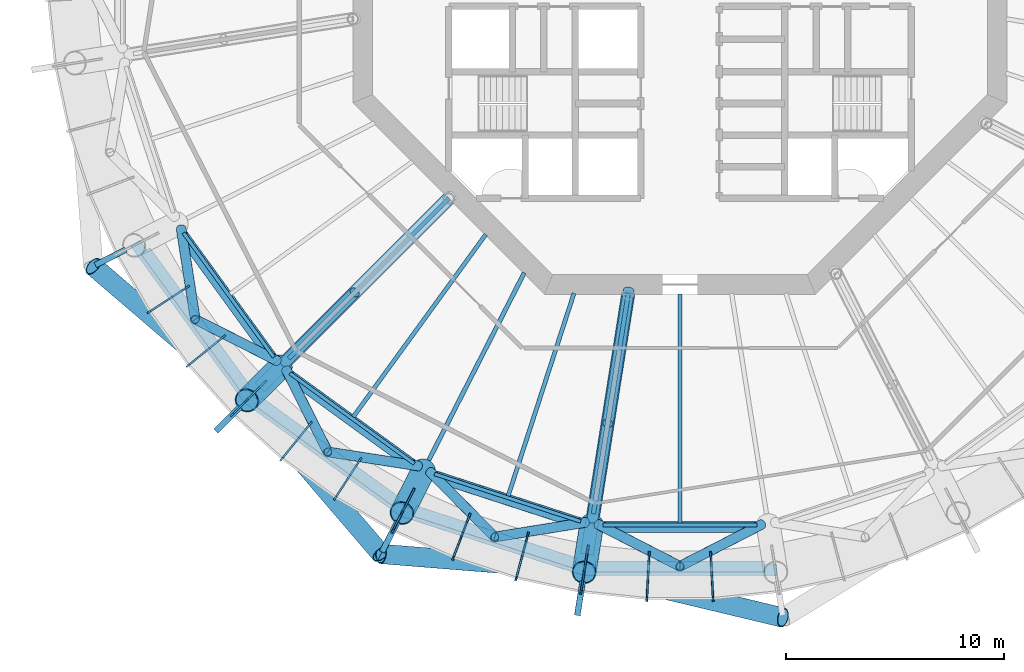
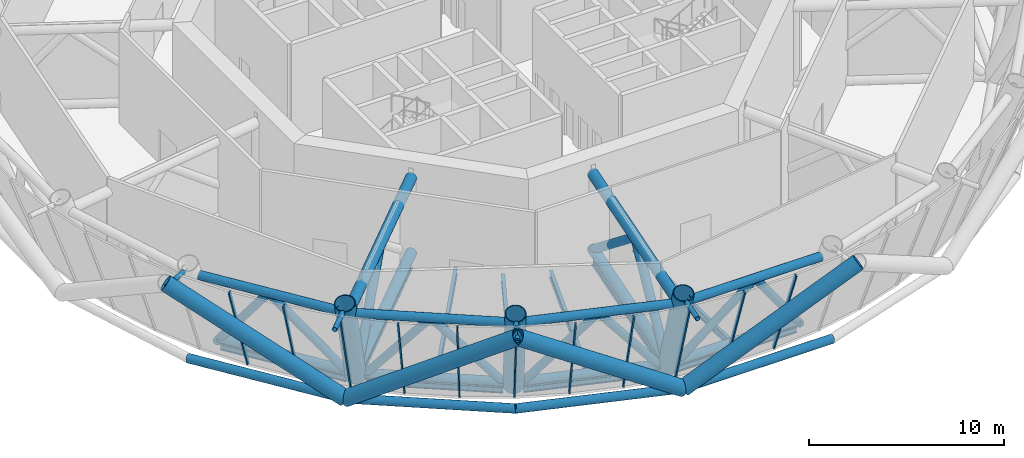
# One storey, part 1 of 15: 49 members, 10 beams, 4 elements without a shape of their own.
"""IFC4 building model written with IfcOpenShell, lengths in metres."""

from ifc_helpers import new_model, si_unit, direction, frame, origin, origin_2d, place, context, subcontext, project, spatial, rectangle, circle, hollow_circle, i_section, extrude, material, layer, layer_set, material_profile, profile_set, type_object, element, aggregate, save


model = new_model("IFC4")

# Units and contexts
model_context = context("Model", 3, precision=1e-05, world=origin(), true_north=direction((0.0, 1.0)))
body_context = subcontext(model_context, "Body", "Model", "MODEL_VIEW")
ifc_project = project(units=[si_unit("LENGTHUNIT", "METRE"), si_unit("AREAUNIT", "SQUARE_METRE"), si_unit("VOLUMEUNIT", "CUBIC_METRE"), si_unit("PLANEANGLEUNIT", "RADIAN"), si_unit("MASSUNIT", "GRAM", prefix="KILO")], contexts=[model_context])

# Site, building, storey
site_placement = place(None, origin())
site = spatial("IfcSite", under=ifc_project, at=site_placement, CompositionType="ELEMENT")
building_placement = place(site_placement, origin())
building = spatial("IfcBuilding", under=site, at=building_placement, Name="Entoto Ring Tower", CompositionType="ELEMENT")
storey_placement = place(building_placement, frame((0.0, 0.0, 268.0)))
storey = spatial("IfcBuildingStorey", under=building, at=storey_placement, Name="L61", CompositionType="ELEMENT", Elevation=268.0)

# Members
ifc_material_1 = material(Name="Steel S355", Category="steel")
ifc_material_profile_1 = material_profile(ifc_material_1, hollow_circle(Radius=0.449951171875, WallThickness=0.044921875, at=origin_2d()), Name="CHS 900 x 45")
ifc_material_2 = material(Name="Concrete C60/75", Category="concrete")
ifc_material_profile_2 = material_profile(ifc_material_2, circle(Radius=0.405029296875, at=origin_2d()), Name="Concrete C60/75 infill")
ifc_profile_set_1 = profile_set([ifc_material_profile_1, ifc_material_profile_2], Name="Steel S355")
member_type_1 = type_object("IfcMemberType", Name="Diagrid diagonal 900 x 45 concrete-filled tube", PredefinedType="BRACE", material=ifc_profile_set_1)
for number, where, z_axis, x_axis, name in (
    (1, (70.200927734375, 60.200927734375, 0.0), (-0.639435344437, 0.547626306831, 0.539655323657), (-0.650475563514, -0.759527182707, 0.0), "DG2 module 21 13"),
    (2, (70.200927734375, 60.200927734375, 0.0), (0.547626306831, -0.639435344437, 0.539655323657), (0.759527182707, 0.650475563514, 0.0), "DG2 module 21 14"),
    (3, (85.619873046875, 52.3447265625, 0.0), (-0.839199397204, 0.067171964206, 0.539659428675), (-0.079787726213, -0.99681187731, 0.0), "DG2 module 21 15"),
    (4, (85.619873046875, 52.3447265625, 0.0), (0.818886187126, -0.195432990063, 0.539658557728), (0.232137674521, 0.972682939127, 0.0), "DG2 module 21 16"),
):
    element("IfcMember", number, at=place(storey_placement, frame(where, z_axis=z_axis, x_axis=x_axis)), inside=storey, type_object=member_type_1, Name=name, PredefinedType="BRACE", context=body_context, shape_type="SweptSolid", body=[
        extrude(hollow_circle(Radius=0.449951171875, WallThickness=0.044921875, at=origin_2d()), origin(), (0.0, 0.0, 1.0), 11.1181640625),
    ])
ifc_material_3 = material(Name="Steel S355", Category="steel")
ifc_material_profile_3 = material_profile(ifc_material_3, hollow_circle(Radius=0.136474609375, WallThickness=0.012451171875, at=origin_2d()), Name="CHS 273 x 12.5")
ifc_material_4 = material(Name="Concrete C60/75", Category="concrete")
ifc_material_profile_4 = material_profile(ifc_material_4, circle(Radius=0.1240234375, at=origin_2d()), Name="Concrete C60/75 infill")
ifc_profile_set_2 = profile_set([ifc_material_profile_3, ifc_material_profile_4], Name="Steel S355")
member_type_2 = type_object("IfcMemberType", Name="Diagrid node strut 273 x 12.5", PredefinedType="STRUT", material=ifc_profile_set_2)
member_1_placement = place(storey_placement, frame((64.583984375, 67.050048828125, 5.71337890625), z_axis=(-0.890990991259, -0.454020983541, 0.0), x_axis=(0.454020983541, -0.890990991259, 0.0)))
element("IfcMember", 5, at=member_1_placement, inside=storey, type_object=member_type_2, Name="DS2 strut ring 21 11", PredefinedType="STRUT", context=body_context, shape_type="SweptSolid", body=[
    extrude(hollow_circle(Radius=0.136474609375, WallThickness=0.012451171875, at=origin_2d()), origin(), (0.0, 0.0, 1.0), 1.574951171875),
])
member_2_placement = place(storey_placement, frame((69.829833984375, 59.829833984375, 5.71337890625), z_axis=(-0.707106781187, -0.707106781187, 0.0), x_axis=(0.707106781187, -0.707106781187, 0.0)))
element("IfcMember", 6, at=member_2_placement, inside=storey, type_object=member_type_2, Name="DS2 strut ring 21 12", PredefinedType="STRUT", context=body_context, shape_type="SweptSolid", body=[
    extrude(hollow_circle(Radius=0.136474609375, WallThickness=0.012451171875, at=origin_2d()), origin(), (0.0, 0.0, 1.0), 1.5751953125),
])
for number, where, z_axis, x_axis, name in (
    (7, (77.050048828125, 54.583984375, 5.71337890625), (-0.454020983541, -0.890990991259, 0.0), (0.890990991259, -0.454020983541, 0.0), "DS2 strut ring 21 13"),
    (8, (85.53759765625, 51.826171875, 5.71337890625), (-0.156400343382, -0.987693744331, 0.0), (0.987693744331, -0.156400343382, 0.0), "DS2 strut ring 21 14"),
):
    element("IfcMember", number, at=place(storey_placement, frame(where, z_axis=z_axis, x_axis=x_axis)), inside=storey, type_object=member_type_2, Name=name, PredefinedType="STRUT", context=body_context, shape_type="SweptSolid", body=[
        extrude(hollow_circle(Radius=0.136474609375, WallThickness=0.012451171875, at=origin_2d()), origin(), (0.0, 0.0, 1.0), 1.574951171875),
    ])
ifc_material_5 = material(Name="Steel S355", Category="steel")
ifc_material_profile_5 = material_profile(ifc_material_5, hollow_circle(Radius=0.25390625, WallThickness=0.030029296875, at=origin_2d()), Name="CHS 508 x 30")
ifc_material_6 = material(Name="Concrete C60/75", Category="concrete")
ifc_material_profile_6 = material_profile(ifc_material_6, circle(Radius=0.22412109375, at=origin_2d()), Name="Concrete C60/75 infill")
ifc_profile_set_3 = profile_set([ifc_material_profile_5, ifc_material_profile_6], Name="Steel S355")
member_type_3 = type_object("IfcMemberType", Name="Diagrid ring beam 508 x 30", PredefinedType="CHORD", material=ifc_profile_set_3)
for number, where, z_axis, x_axis, name in (
    (9, (65.016357421875, 67.3369140625, 0.0), (0.587790766961, -0.809012987705, 0.0), (0.809012987705, 0.587790766961, 0.0), "DR2 ring 20 12"),
    (10, (70.15234375, 60.236328125, 0.0), (0.809012987705, -0.587790766961, 0.0), (0.587790766961, 0.809012987705, 0.0), "DR2 ring 20 13"),
    (11, (77.23095703125, 55.0703125, 0.0), (0.951061338755, -0.309002151976, 0.0), (0.309002151976, 0.951061338755, 0.0), "DR2 ring 20 14"),
):
    element("IfcMember", number, at=place(storey_placement, frame(where, z_axis=z_axis, x_axis=x_axis)), inside=storey, type_object=member_type_3, Name=name, PredefinedType="CHORD", context=body_context, shape_type="SweptSolid", body=[
        extrude(hollow_circle(Radius=0.25390625, WallThickness=0.030029296875, at=origin_2d()), origin(), (0.0, 0.0, 1.0), 8.880615234375),
    ])
member_3_placement = place(storey_placement, frame((85.5595703125, 52.3447265625, 0.0), z_axis=(1.0, 0.0, 0.0), x_axis=(0.0, 1.0, 0.0)))
element("IfcMember", 12, at=member_3_placement, inside=storey, type_object=member_type_3, Name="DR2 ring 20 15", PredefinedType="CHORD", context=body_context, shape_type="SweptSolid", body=[
    extrude(hollow_circle(Radius=0.25390625, WallThickness=0.030029296875, at=origin_2d()), origin(), (0.0, 0.0, 1.0), 8.880859375),
])

# Beams
ifc_material_7 = material(Name="Steel S355", Category="steel")
ifc_material_profile_7 = material_profile(ifc_material_7, i_section(OverallWidth=0.169921875, OverallDepth=0.360107421875, WebThickness=0.008056640625, FlangeThickness=0.0126953125, FilletRadius=0.01806640625, at=origin_2d()), Name="IPE 360")
ifc_profile_set_4 = profile_set([ifc_material_profile_7], Name="Steel S355")
beam_type_1 = type_object("IfcBeamType", Name="Edge beam IPE 360", PredefinedType="SPANDREL", material=ifc_profile_set_4)
for number, where, z_axis, x_axis, name in (
    (13, (67.23046875, 67.818359375, -0.330078125), (0.587797242693, -0.809008282703, 0.0), (0.809008282703, 0.587797242693, 0.0), "Edge beam L61 12"),
    (14, (72.109375, 61.37841796875, -0.330078125), (0.809008282703, -0.587797242693, 0.0), (0.587797242693, 0.809008282703, 0.0), "Edge beam L61 13"),
    (15, (78.7392578125, 56.76123046875, -0.330078125), (0.951056947905, -0.309015666013, 0.0), (0.309015666013, 0.951056947905, 0.0), "Edge beam L61 14"),
):
    element("IfcBeam", number, at=place(storey_placement, frame(where, z_axis=z_axis, x_axis=x_axis)), inside=storey, type_object=beam_type_1, Name=name, PredefinedType="SPANDREL", context=body_context, shape_type="SweptSolid", body=[
        extrude(i_section(OverallWidth=0.169921875, OverallDepth=0.360107421875, WebThickness=0.008056640625, FlangeThickness=0.0126953125, FilletRadius=0.01806640625, at=origin_2d()), origin(), (0.0, 0.0, 1.0), 7.056884765625),
    ])
beam_1_placement = place(storey_placement, frame((86.4716796875, 54.4189453125, -0.330078125), z_axis=(1.0, 0.0, 0.0), x_axis=(0.0, 1.0, 0.0)))
element("IfcBeam", 16, at=beam_1_placement, inside=storey, type_object=beam_type_1, Name="Edge beam L61 15", PredefinedType="SPANDREL", context=body_context, shape_type="SweptSolid", body=[
    extrude(i_section(OverallWidth=0.169921875, OverallDepth=0.360107421875, WebThickness=0.008056640625, FlangeThickness=0.0126953125, FilletRadius=0.01806640625, at=origin_2d()), origin(), (0.0, 0.0, 1.0), 7.056640625),
])

# Curtain wall, members
ifc_material_8 = material(Name="Anodised aluminium", Category="aluminium")
ifc_layer = layer(ifc_material_8, 0.10009765625)
ifc_layer_set = layer_set([ifc_layer], Name="Anodised aluminium")
curtain_wall_type = type_object("IfcCurtainWallType", Name="Louvre curtain wall system CW7", PredefinedType="NOTDEFINED", material=ifc_layer_set)
curtain_wall_1_placement = place(storey_placement, origin())
curtain_wall_1 = element("IfcCurtainWall", 17, at=curtain_wall_1_placement, inside=storey, type_object=curtain_wall_type, Name="CW7 L61-12", PredefinedType="NOTDEFINED")
ifc_material_9 = material(Name="Anodised aluminium", Category="aluminium")
ifc_material_profile_8 = material_profile(ifc_material_9, rectangle(XDim=0.080078125, YDim=0.199951171875, at=origin_2d()), Name="Mullion 80 x 200 mm anodised aluminium")
ifc_profile_set_5 = profile_set([ifc_material_profile_8], Name="Anodised aluminium")
member_type_4 = type_object("IfcMemberType", Name="Mullion 80 x 200 mm anodised aluminium", PredefinedType="MULLION", material=ifc_profile_set_5)
member_4_placement = place(storey_placement, frame((67.423828125, 65.3388671875, 0.034423828125), z_axis=(-0.288719812628, -0.187497389991, 0.938874644744), x_axis=(0.544640161527, -0.838669836379, 0.0)))
member_4 = element("IfcMember", 18, at=member_4_placement, type_object=member_type_4, Name="MULLION L61-34", PredefinedType="MULLION", context=body_context, shape_type="SweptSolid", body=[
    extrude(rectangle(XDim=0.080078125, YDim=0.199951171875, at=origin_2d()), origin(), (0.0, 0.0, 1.0), 6.15771484375),
])
member_5_placement = place(storey_placement, frame((69.079833984375, 63.059326171875, 0.034423828125), z_axis=(-0.267510778801, -0.216641306561, 0.938884725361), x_axis=(0.629347320868, -0.777124153348, 0.0)))
member_5 = element("IfcMember", 19, at=member_5_placement, type_object=member_type_4, Name="MULLION L61-35", PredefinedType="MULLION", context=body_context, shape_type="SweptSolid", body=[
    extrude(rectangle(XDim=0.080078125, YDim=0.199951171875, at=origin_2d()), origin(), (0.0, 0.0, 1.0), 6.157470703125),
])
aggregate(curtain_wall_1, [member_4, member_5])

curtain_wall_2_placement = place(storey_placement, origin())
curtain_wall_2 = element("IfcCurtainWall", 20, at=curtain_wall_2_placement, inside=storey, type_object=curtain_wall_type, Name="CW7 L61-13", PredefinedType="NOTDEFINED")
member_6_placement = place(storey_placement, frame((70.96533203125, 60.96533203125, 0.034423828125), z_axis=(-0.243439738428, -0.243439738428, 0.938868567749), x_axis=(0.707106781187, -0.707106781187, 0.0)))
member_6 = element("IfcMember", 21, at=member_6_placement, type_object=member_type_4, Name="MULLION L61-36", PredefinedType="MULLION", context=body_context, shape_type="SweptSolid", body=[
    extrude(rectangle(XDim=0.080078125, YDim=0.199951171875, at=origin_2d()), origin(), (0.0, 0.0, 1.0), 6.15771484375),
])
member_7_placement = place(storey_placement, frame((73.059326171875, 59.079833984375, 0.034423828125), z_axis=(-0.216641306561, -0.267510778801, 0.938884725361), x_axis=(0.777124153348, -0.629347320868, 0.0)))
member_7 = element("IfcMember", 22, at=member_7_placement, type_object=member_type_4, Name="MULLION L61-37", PredefinedType="MULLION", context=body_context, shape_type="SweptSolid", body=[
    extrude(rectangle(XDim=0.080078125, YDim=0.199951171875, at=origin_2d()), origin(), (0.0, 0.0, 1.0), 6.157470703125),
])
member_8_placement = place(storey_placement, frame((75.3388671875, 57.423828125, 0.034423828125), z_axis=(-0.187497389991, -0.288719812628, 0.938874644744), x_axis=(0.838669836379, -0.544640161527, 0.0)))
member_8 = element("IfcMember", 23, at=member_8_placement, type_object=member_type_4, Name="MULLION L61-38", PredefinedType="MULLION", context=body_context, shape_type="SweptSolid", body=[
    extrude(rectangle(XDim=0.080078125, YDim=0.199951171875, at=origin_2d()), origin(), (0.0, 0.0, 1.0), 6.15771484375),
])
aggregate(curtain_wall_2, [member_6, member_7, member_8])

curtain_wall_3_placement = place(storey_placement, origin())
curtain_wall_3 = element("IfcCurtainWall", 24, at=curtain_wall_3_placement, inside=storey, type_object=curtain_wall_type, Name="CW7 L61-14", PredefinedType="NOTDEFINED")
member_9_placement = place(storey_placement, frame((77.779052734375, 56.014892578125, 0.034423828125), z_axis=(-0.156294806902, -0.306721620039, 0.938879002394), x_axis=(0.890992028784, -0.454018947449, 0.0)))
member_9 = element("IfcMember", 25, at=member_9_placement, type_object=member_type_4, Name="MULLION L61-39", PredefinedType="MULLION", context=body_context, shape_type="SweptSolid", body=[
    extrude(rectangle(XDim=0.080078125, YDim=0.199951171875, at=origin_2d()), origin(), (0.0, 0.0, 1.0), 6.15771484375),
])
member_10_placement = place(storey_placement, frame((80.35302734375, 54.868896484375, 0.034423828125), z_axis=(-0.123346766699, -0.321391478901, 0.938878635626), x_axis=(0.933603616536, -0.358307531587, 0.0)))
member_10 = element("IfcMember", 26, at=member_10_placement, type_object=member_type_4, Name="MULLION L61-40", PredefinedType="MULLION", context=body_context, shape_type="SweptSolid", body=[
    extrude(rectangle(XDim=0.080078125, YDim=0.199951171875, at=origin_2d()), origin(), (0.0, 0.0, 1.0), 6.15771484375),
])
member_11_placement = place(storey_placement, frame((83.03271484375, 53.998046875, 0.034423828125), z_axis=(-0.089091192994, -0.332496103447, 0.938887160698), x_axis=(0.965926457713, -0.258816688586, 0.0)))
member_11 = element("IfcMember", 27, at=member_11_placement, type_object=member_type_4, Name="MULLION L61-41", PredefinedType="MULLION", context=body_context, shape_type="SweptSolid", body=[
    extrude(rectangle(XDim=0.080078125, YDim=0.199951171875, at=origin_2d()), origin(), (0.0, 0.0, 1.0), 6.157470703125),
])
aggregate(curtain_wall_3, [member_9, member_10, member_11])

curtain_wall_4_placement = place(storey_placement, origin())
curtain_wall_4 = element("IfcCurtainWall", 28, at=curtain_wall_4_placement, inside=storey, type_object=curtain_wall_type, Name="CW7 L61-15", PredefinedType="NOTDEFINED")
member_12_placement = place(storey_placement, frame((85.788818359375, 53.412353515625, 0.034423828125), z_axis=(-0.05384251649, -0.340024610762, 0.938873925239), x_axis=(0.987693766667, -0.156400202324, 0.0)))
member_12 = element("IfcMember", 29, at=member_12_placement, type_object=member_type_4, Name="MULLION L61-42", PredefinedType="MULLION", context=body_context, shape_type="SweptSolid", body=[
    extrude(rectangle(XDim=0.080078125, YDim=0.199951171875, at=origin_2d()), origin(), (0.0, 0.0, 1.0), 6.15771484375),
])
member_13_placement = place(storey_placement, frame((88.591064453125, 53.11767578125, 0.034423828125), z_axis=(-0.018000609469, -0.343756132372, 0.938886414597), x_axis=(0.998631793981, -0.052292829812, 0.0)))
member_13 = element("IfcMember", 30, at=member_13_placement, type_object=member_type_4, Name="MULLION L61-43", PredefinedType="MULLION", context=body_context, shape_type="SweptSolid", body=[
    extrude(rectangle(XDim=0.080078125, YDim=0.199951171875, at=origin_2d()), origin(), (0.0, 0.0, 1.0), 6.157470703125),
])
member_14_placement = place(storey_placement, frame((91.408935546875, 53.11767578125, 0.034423828125), z_axis=(0.018000609469, -0.343756132372, 0.938886414597), x_axis=(0.998631793981, 0.052292829812, 0.0)))
member_14 = element("IfcMember", 31, at=member_14_placement, type_object=member_type_4, Name="MULLION L61-44", PredefinedType="MULLION", context=body_context, shape_type="SweptSolid", body=[
    extrude(rectangle(XDim=0.080078125, YDim=0.199951171875, at=origin_2d()), origin(), (0.0, 0.0, 1.0), 6.157470703125),
])
aggregate(curtain_wall_4, [member_12, member_13, member_14])

# Members
ifc_material_10 = material(Name="Steel S355", Category="steel")
ifc_material_profile_9 = material_profile(ifc_material_10, hollow_circle(Radius=0.304931640625, WallThickness=0.030029296875, at=origin_2d()), Name="CHS 610 x 30")
ifc_material_11 = material(Name="Concrete C60/75", Category="concrete")
ifc_material_profile_10 = material_profile(ifc_material_11, circle(Radius=0.27490234375, at=origin_2d()), Name="Concrete C60/75 infill")
ifc_profile_set_6 = profile_set([ifc_material_profile_9, ifc_material_profile_10], Name="Steel S355")
member_type_5 = type_object("IfcMemberType", Name="Outrigger chord 610 x 30", PredefinedType="CHORD", material=ifc_profile_set_6)
member_15_placement = place(storey_placement, frame((79.407470703125, 69.407470703125, 0.304931640625), z_axis=(-0.707106781187, -0.707106781187, 0.0), x_axis=(0.707106781187, -0.707106781187, 0.0)))
element("IfcMember", 32, at=member_15_placement, inside=storey, type_object=member_type_5, Name="OR1B L61 bottom 07", PredefinedType="CHORD", context=body_context, shape_type="SweptSolid", body=[
    extrude(hollow_circle(Radius=0.304931640625, WallThickness=0.030029296875, at=origin_2d()), origin(), (0.0, 0.0, 1.0), 10.564208984375),
])
member_16_placement = place(storey_placement, frame((79.407470703125, 69.407470703125, 4.9951171875), z_axis=(-0.707106781187, -0.707106781187, 0.0), x_axis=(0.707106781187, -0.707106781187, 0.0)))
element("IfcMember", 33, at=member_16_placement, inside=storey, type_object=member_type_5, Name="OR1B L61 top 07", PredefinedType="CHORD", context=body_context, shape_type="SweptSolid", body=[
    extrude(hollow_circle(Radius=0.304931640625, WallThickness=0.030029296875, at=origin_2d()), origin(), (0.0, 0.0, 1.0), 12.283935546875),
])
member_17_placement = place(storey_placement, frame((87.635009765625, 65.0673828125, 0.304931640625), z_axis=(-0.156449566663, -0.987685948615, 0.0), x_axis=(0.987685948615, -0.156449566663, 0.0)))
element("IfcMember", 34, at=member_17_placement, inside=storey, type_object=member_type_5, Name="OR1B L61 bottom 08", PredefinedType="CHORD", context=body_context, shape_type="SweptSolid", body=[
    extrude(hollow_circle(Radius=0.304931640625, WallThickness=0.030029296875, at=origin_2d()), origin(), (0.0, 0.0, 1.0), 10.42578125),
])
member_18_placement = place(storey_placement, frame((87.635009765625, 65.0673828125, 4.9951171875), z_axis=(-0.156449770763, -0.987685916285, 0.0), x_axis=(0.987685916285, -0.156449770763, 0.0)))
element("IfcMember", 35, at=member_18_placement, inside=storey, type_object=member_type_5, Name="OR1B L61 top 08", PredefinedType="CHORD", context=body_context, shape_type="SweptSolid", body=[
    extrude(hollow_circle(Radius=0.304931640625, WallThickness=0.030029296875, at=origin_2d()), origin(), (0.0, 0.0, 1.0), 12.1455078125),
])
ifc_material_12 = material(Name="Steel S355", Category="steel")
ifc_material_profile_11 = material_profile(ifc_material_12, hollow_circle(Radius=0.25390625, WallThickness=0.030029296875, at=origin_2d()), Name="CHS 508 x 30")
ifc_material_13 = material(Name="Concrete C60/75", Category="concrete")
ifc_material_profile_12 = material_profile(ifc_material_13, circle(Radius=0.22412109375, at=origin_2d()), Name="Concrete C60/75 infill")
ifc_profile_set_7 = profile_set([ifc_material_profile_11, ifc_material_profile_12], Name="Steel S355")
member_type_6 = type_object("IfcMemberType", Name="Outrigger diagonal 508 x 30", PredefinedType="BRACE", material=ifc_profile_set_7)
member_19_placement = place(storey_placement, frame((75.086669921875, 65.086669921875, 4.9951171875), z_axis=(-0.482096478107, -0.482096478107, -0.731550388965), x_axis=(0.707106781187, -0.707106781187, 0.0)))
element("IfcMember", 36, at=member_19_placement, inside=storey, type_object=member_type_6, Name="OR2B L61 07 2", PredefinedType="BRACE", context=body_context, shape_type="SweptSolid", body=[
    extrude(hollow_circle(Radius=0.25390625, WallThickness=0.030029296875, at=origin_2d()), origin(), (0.0, 0.0, 1.0), 6.6513671875),
])
member_20_placement = place(storey_placement, frame((87.65185546875, 65.175048828125, 0.166259765625), z_axis=(-0.123216008538, -0.778011293546, 0.616048896075), x_axis=(0.987690081313, -0.156423474185, 0.0)))
element("IfcMember", 37, at=member_20_placement, inside=storey, type_object=member_type_6, Name="OR2B L61 08 1", PredefinedType="BRACE", context=body_context, shape_type="SweptSolid", body=[
    extrude(hollow_circle(Radius=0.25390625, WallThickness=0.030029296875, at=origin_2d()), origin(), (0.0, 0.0, 1.0), 7.83837890625),
])
member_21_placement = place(storey_placement, frame((86.68603515625, 59.07666015625, 4.9951171875), z_axis=(-0.1054207135, -0.665590911543, -0.738833683339), x_axis=(0.987688003669, -0.156436592292, 0.0)))
element("IfcMember", 38, at=member_21_placement, inside=storey, type_object=member_type_6, Name="OR2B L61 08 2", PredefinedType="BRACE", context=body_context, shape_type="SweptSolid", body=[
    extrude(hollow_circle(Radius=0.25390625, WallThickness=0.030029296875, at=origin_2d()), origin(), (0.0, 0.0, 1.0), 6.59326171875),
])

# Beams
ifc_material_14 = material(Name="Steel S355", Category="steel")
ifc_material_profile_13 = material_profile(ifc_material_14, i_section(OverallWidth=0.199951171875, OverallDepth=0.5, WebThickness=0.01025390625, FlangeThickness=0.01611328125, FilletRadius=0.02099609375, at=origin_2d()), Name="IPE 500")
ifc_profile_set_8 = profile_set([ifc_material_profile_13], Name="Steel S355")
beam_type_2 = type_object("IfcBeamType", Name="Primary floor beam IPE 500", PredefinedType="BEAM", material=ifc_profile_set_8)
beam_2_placement = place(storey_placement, frame((79.407470703125, 69.407470703125, -0.39990234375), z_axis=(-0.707106781187, -0.707106781187, 0.0), x_axis=(0.707106781187, -0.707106781187, 0.0)))
element("IfcBeam", 39, at=beam_2_placement, inside=storey, type_object=beam_type_2, Name="Primary L61 R13", PredefinedType="BEAM", context=body_context, shape_type="SweptSolid", body=[
    extrude(i_section(OverallWidth=0.199951171875, OverallDepth=0.5, WebThickness=0.01025390625, FlangeThickness=0.01611328125, FilletRadius=0.02099609375, at=origin_2d()), origin(), (0.0, 0.0, 1.0), 10.399169921875),
])
beam_3_placement = place(storey_placement, frame((82.863525390625, 65.993896484375, -0.39990234375), z_axis=(-0.453994308092, -0.891004583726, 0.0), x_axis=(0.891004583726, -0.453994308092, 0.0)))
element("IfcBeam", 40, at=beam_3_placement, inside=storey, type_object=beam_type_2, Name="Primary L61 R14", PredefinedType="BEAM", context=body_context, shape_type="SweptSolid", body=[
    extrude(i_section(OverallWidth=0.199951171875, OverallDepth=0.5, WebThickness=0.01025390625, FlangeThickness=0.01611328125, FilletRadius=0.02099609375, at=origin_2d()), origin(), (0.0, 0.0, 1.0), 9.659912109375),
])
beam_4_placement = place(storey_placement, frame((87.6298828125, 65.035400390625, -0.39990234375), z_axis=(-0.156439360602, -0.987687565202, 0.0), x_axis=(0.987687565202, -0.156439360602, 0.0)))
element("IfcBeam", 41, at=beam_4_placement, inside=storey, type_object=beam_type_2, Name="Primary L61 R15", PredefinedType="BEAM", context=body_context, shape_type="SweptSolid", body=[
    extrude(i_section(OverallWidth=0.199951171875, OverallDepth=0.5, WebThickness=0.01025390625, FlangeThickness=0.01611328125, FilletRadius=0.02099609375, at=origin_2d()), origin(), (0.0, 0.0, 1.0), 10.228271484375),
])

# Members
ifc_material_15 = material(Name="Steel S355", Category="steel")
ifc_material_profile_14 = material_profile(ifc_material_15, hollow_circle(Radius=0.550048828125, WallThickness=0.044921875, at=origin_2d()), Name="CHS 1100 x 45")
ifc_material_16 = material(Name="Concrete C60/75", Category="concrete")
ifc_material_profile_15 = material_profile(ifc_material_16, circle(Radius=0.5048828125, at=origin_2d()), Name="Concrete C60/75 infill")
ifc_profile_set_9 = profile_set([ifc_material_profile_14, ifc_material_profile_15], Name="Steel S355")
member_type_7 = type_object("IfcMemberType", Name="Ring column jog 1100 x 45 concrete-filled tube", PredefinedType="STRUT", material=ifc_profile_set_9)
for number, where, z_axis, x_axis, name in (
    (42, (71.68603515625, 61.68603515625, 0.0), (-0.243428816819, -0.243428816819, 0.938874231346), (0.707106781187, -0.707106781187, 0.0), "RJ4B R13"),
    (43, (78.24169921875, 56.9228515625, 0.0), (-0.156288439927, -0.306731822092, 0.938876729322), (0.891005618941, -0.453992276384, 0.0), "RJ4B R14"),
    (44, (85.9482421875, 54.4189453125, 0.0), (-0.053827545825, -0.340041863298, 0.938868535267), (0.987701708488, -0.156350040137, 0.0), "RJ4B R15"),
):
    element("IfcMember", number, at=place(storey_placement, frame(where, z_axis=z_axis, x_axis=x_axis)), inside=storey, type_object=member_type_7, Name=name, PredefinedType="STRUT", context=body_context, shape_type="SweptSolid", body=[
        extrude(hollow_circle(Radius=0.550048828125, WallThickness=0.044921875, at=origin_2d()), origin(), (0.0, 0.0, 1.0), 6.390625),
    ])
ifc_material_17 = material(Name="Steel S355", Category="steel")
ifc_material_profile_16 = material_profile(ifc_material_17, hollow_circle(Radius=0.25390625, WallThickness=0.030029296875, at=origin_2d()), Name="CHS 508 x 30")
ifc_material_18 = material(Name="Concrete C60/75", Category="concrete")
ifc_material_profile_17 = material_profile(ifc_material_18, circle(Radius=0.22412109375, at=origin_2d()), Name="Concrete C60/75 infill")
ifc_profile_set_10 = profile_set([ifc_material_profile_16, ifc_material_profile_17], Name="Steel S355")
member_type_8 = type_object("IfcMemberType", Name="Ring truss chord 508 x 30", PredefinedType="CHORD", material=ifc_profile_set_10)
member_22_placement = place(storey_placement, frame((67.116943359375, 67.81787109375, 0.25390625), z_axis=(0.587804161843, -0.809003255445, 0.0), x_axis=(0.809003255445, 0.587804161843, 0.0)))
element("IfcMember", 45, at=member_22_placement, inside=storey, type_object=member_type_8, Name="BT1 L61 bottom 12", PredefinedType="CHORD", context=body_context, shape_type="SweptSolid", body=[
    extrude(hollow_circle(Radius=0.25390625, WallThickness=0.030029296875, at=origin_2d()), origin(), (0.0, 0.0, 1.0), 7.189697265625),
])
member_23_placement = place(storey_placement, frame((65.489501953125, 66.988525390625, 5.236083984375), z_axis=(0.587780707542, -0.80902029631, 0.0), x_axis=(0.80902029631, 0.587780707542, 0.0)))
element("IfcMember", 46, at=member_23_placement, inside=storey, type_object=member_type_8, Name="BT1 L61 top 12", PredefinedType="CHORD", context=body_context, shape_type="SweptSolid", body=[
    extrude(hollow_circle(Radius=0.25390625, WallThickness=0.030029296875, at=origin_2d()), origin(), (0.0, 0.0, 1.0), 7.760986328125),
])
member_24_placement = place(storey_placement, frame((72.00146484375, 61.343017578125, 0.25390625), z_axis=(0.809003255445, -0.587804161843, 0.0), x_axis=(0.587804161843, 0.809003255445, 0.0)))
element("IfcMember", 47, at=member_24_placement, inside=storey, type_object=member_type_8, Name="BT1 L61 bottom 13", PredefinedType="CHORD", context=body_context, shape_type="SweptSolid", body=[
    extrude(hollow_circle(Radius=0.25390625, WallThickness=0.030029296875, at=origin_2d()), origin(), (0.0, 0.0, 1.0), 7.189697265625),
])
member_25_placement = place(storey_placement, frame((70.709716796875, 60.05126953125, 5.236083984375), z_axis=(0.80902029631, -0.587780707542, 0.0), x_axis=(0.587780707542, 0.80902029631, 0.0)))
element("IfcMember", 48, at=member_25_placement, inside=storey, type_object=member_type_8, Name="BT1 L61 top 13", PredefinedType="CHORD", context=body_context, shape_type="SweptSolid", body=[
    extrude(hollow_circle(Radius=0.25390625, WallThickness=0.030029296875, at=origin_2d()), origin(), (0.0, 0.0, 1.0), 7.760986328125),
])
member_26_placement = place(storey_placement, frame((78.647705078125, 56.6943359375, 0.25390625), z_axis=(0.951056775099, -0.309016197858, 0.0), x_axis=(0.309016197858, 0.951056775099, 0.0)))
element("IfcMember", 49, at=member_26_placement, inside=storey, type_object=member_type_8, Name="BT1 L61 bottom 14", PredefinedType="CHORD", context=body_context, shape_type="SweptSolid", body=[
    extrude(hollow_circle(Radius=0.25390625, WallThickness=0.030029296875, at=origin_2d()), origin(), (0.0, 0.0, 1.0), 7.189453125),
])
member_27_placement = place(storey_placement, frame((77.818359375, 55.066650390625, 5.236083984375), z_axis=(0.951053022584, -0.309027746705, 0.0), x_axis=(0.309027746705, 0.951053022584, 0.0)))
element("IfcMember", 50, at=member_27_placement, inside=storey, type_object=member_type_8, Name="BT1 L61 top 14", PredefinedType="CHORD", context=body_context, shape_type="SweptSolid", body=[
    extrude(hollow_circle(Radius=0.25390625, WallThickness=0.030029296875, at=origin_2d()), origin(), (0.0, 0.0, 1.0), 7.76123046875),
])
member_28_placement = place(storey_placement, frame((86.4052734375, 54.326904296875, 0.25390625), z_axis=(1.0, 0.0, 0.0), x_axis=(0.0, 1.0, 0.0)))
element("IfcMember", 51, at=member_28_placement, inside=storey, type_object=member_type_8, Name="BT1 L61 bottom 15", PredefinedType="CHORD", context=body_context, shape_type="SweptSolid", body=[
    extrude(hollow_circle(Radius=0.25390625, WallThickness=0.030029296875, at=origin_2d()), origin(), (0.0, 0.0, 1.0), 7.189453125),
])
member_29_placement = place(storey_placement, frame((86.119384765625, 52.522705078125, 5.236083984375), z_axis=(1.0, 0.0, 0.0), x_axis=(0.0, 1.0, 0.0)))
element("IfcMember", 52, at=member_29_placement, inside=storey, type_object=member_type_8, Name="BT1 L61 top 15", PredefinedType="CHORD", context=body_context, shape_type="SweptSolid", body=[
    extrude(hollow_circle(Radius=0.25390625, WallThickness=0.030029296875, at=origin_2d()), origin(), (0.0, 0.0, 1.0), 7.76123046875),
])
ifc_material_19 = material(Name="Steel S355", Category="steel")
ifc_material_profile_18 = material_profile(ifc_material_19, hollow_circle(Radius=0.228515625, WallThickness=0.02001953125, at=origin_2d()), Name="CHS 457 x 20")
ifc_material_20 = material(Name="Concrete C60/75", Category="concrete")
ifc_material_profile_19 = material_profile(ifc_material_20, circle(Radius=0.20849609375, at=origin_2d()), Name="Concrete C60/75 infill")
ifc_profile_set_11 = profile_set([ifc_material_profile_18, ifc_material_profile_19], Name="Steel S355")
member_type_9 = type_object("IfcMemberType", Name="Ring truss diagonal 457 x 20", PredefinedType="BRACE", material=ifc_profile_set_11)
for number, where, z_axis, x_axis, name in (
    (53, (67.1240234375, 68.00634765625, -0.0673828125), (0.095462688762, -0.614106031068, 0.783428782763), (0.988132328169, 0.153605019536, 0.0), "BT2 L61 12 a"),
    (54, (67.770263671875, 63.84912109375, 5.236083984375), (0.55453658299, -0.280550213259, -0.7834416098), (0.451433359006, 0.892304837136, 0.0), "BT2 L61 12 b"),
    (55, (71.949951171875, 61.524169921875, -0.0673828125), (0.280550213259, -0.55453658299, 0.7834416098), (0.892304837136, 0.451433359006, 0.0), "BT2 L61 13 a"),
    (56, (73.84912109375, 57.770263671875, 5.236083984375), (0.614106031068, -0.095462688762, -0.783428782763), (0.153605019536, 0.988132328169, 0.0), "BT2 L61 13 b"),
    (57, (78.542724609375, 56.850830078125, -0.0673828125), (0.438185899021, -0.440710426835, 0.78343310983), (0.709134938062, 0.705072790299, 0.0), "BT2 L61 14 a"),
    (58, (81.509033203125, 53.867431640625, 5.236083984375), (0.61353766283, 0.098962341101, -0.783439845383), (-0.159239736959, 0.987239943567, 0.0), "BT2 L61 14 b"),
    (59, (86.257080078125, 54.443359375, -0.0673828125), (0.55291544071, -0.283724856308, 0.783444140534), (0.456544020968, 0.889700824389, 0.0), "BT2 L61 15 a"),
    (60, (90.0, 52.522705078125, 5.236083984375), (0.55291544071, 0.283724856308, -0.783444140534), (-0.456544020968, 0.889700824389, 0.0), "BT2 L61 15 b"),
):
    element("IfcMember", number, at=place(storey_placement, frame(where, z_axis=z_axis, x_axis=x_axis)), inside=storey, type_object=member_type_9, Name=name, PredefinedType="BRACE", context=body_context, shape_type="SweptSolid", body=[
        extrude(hollow_circle(Radius=0.228515625, WallThickness=0.02001953125, at=origin_2d()), origin(), (0.0, 0.0, 1.0), 6.76953125),
    ])

# Beams
ifc_material_21 = material(Name="Steel S355", Category="steel")
ifc_material_profile_20 = material_profile(ifc_material_21, i_section(OverallWidth=0.18994140625, OverallDepth=0.449951171875, WebThickness=0.009521484375, FlangeThickness=0.0146484375, FilletRadius=0.02099609375, at=origin_2d()), Name="IPE 450")
ifc_profile_set_12 = profile_set([ifc_material_profile_20], Name="Steel S355")
beam_type_3 = type_object("IfcBeamType", Name="Secondary floor beam IPE 450", PredefinedType="JOIST", material=ifc_profile_set_12)
beam_5_placement = place(storey_placement, frame((81.093994140625, 67.741943359375, -0.375), z_axis=(-0.58779413796, -0.809010538485, 0.0), x_axis=(0.809010538485, -0.58779413796, 0.0)))
element("IfcBeam", 61, at=beam_5_placement, inside=storey, type_object=beam_type_3, Name="Secondary beam L61 13", PredefinedType="JOIST", context=body_context, shape_type="SweptSolid", body=[
    extrude(i_section(OverallWidth=0.18994140625, OverallDepth=0.449951171875, WebThickness=0.009521484375, FlangeThickness=0.0146484375, FilletRadius=0.02099609375, at=origin_2d()), origin(), (0.0, 0.0, 1.0), 10.34423828125),
])
beam_6_placement = place(storey_placement, frame((85.141845703125, 65.04833984375, -0.375), z_axis=(-0.309003053144, -0.951061045963, 0.0), x_axis=(0.951061045963, -0.309003053144, 0.0)))
element("IfcBeam", 62, at=beam_6_placement, inside=storey, type_object=beam_type_3, Name="Secondary beam L61 14", PredefinedType="JOIST", context=body_context, shape_type="SweptSolid", body=[
    extrude(i_section(OverallWidth=0.18994140625, OverallDepth=0.449951171875, WebThickness=0.009521484375, FlangeThickness=0.0146484375, FilletRadius=0.02099609375, at=origin_2d()), origin(), (0.0, 0.0, 1.0), 9.77490234375),
])
beam_7_placement = place(storey_placement, frame((90.0, 65.02001953125, -0.375), z_axis=(0.0, -1.0, 0.0), x_axis=(1.0, 0.0, 0.0)))
element("IfcBeam", 63, at=beam_7_placement, inside=storey, type_object=beam_type_3, Name="Secondary beam L61 15", PredefinedType="JOIST", context=body_context, shape_type="SweptSolid", body=[
    extrude(i_section(OverallWidth=0.18994140625, OverallDepth=0.449951171875, WebThickness=0.009521484375, FlangeThickness=0.0146484375, FilletRadius=0.02099609375, at=origin_2d()), origin(), (0.0, 0.0, 1.0), 10.51611328125),
])

save(model, "model.ifc")
